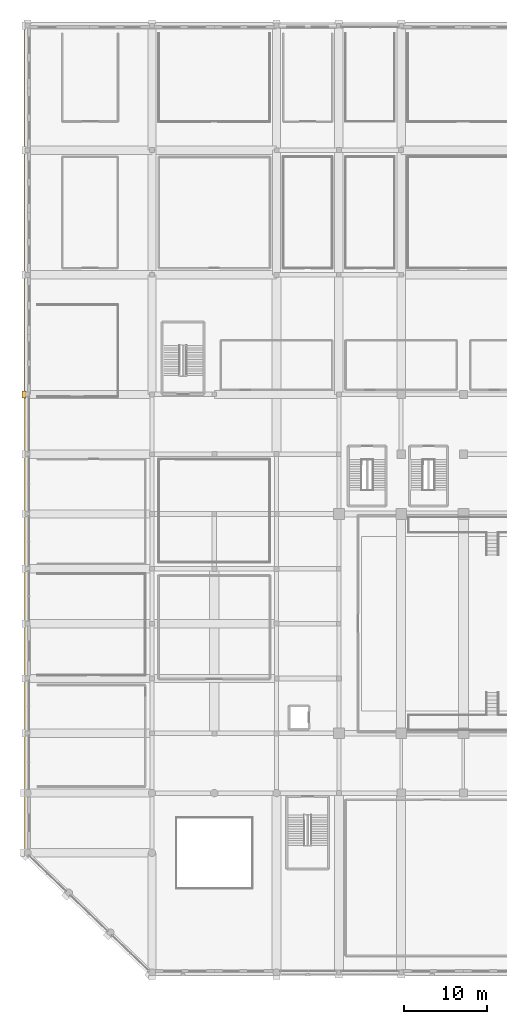
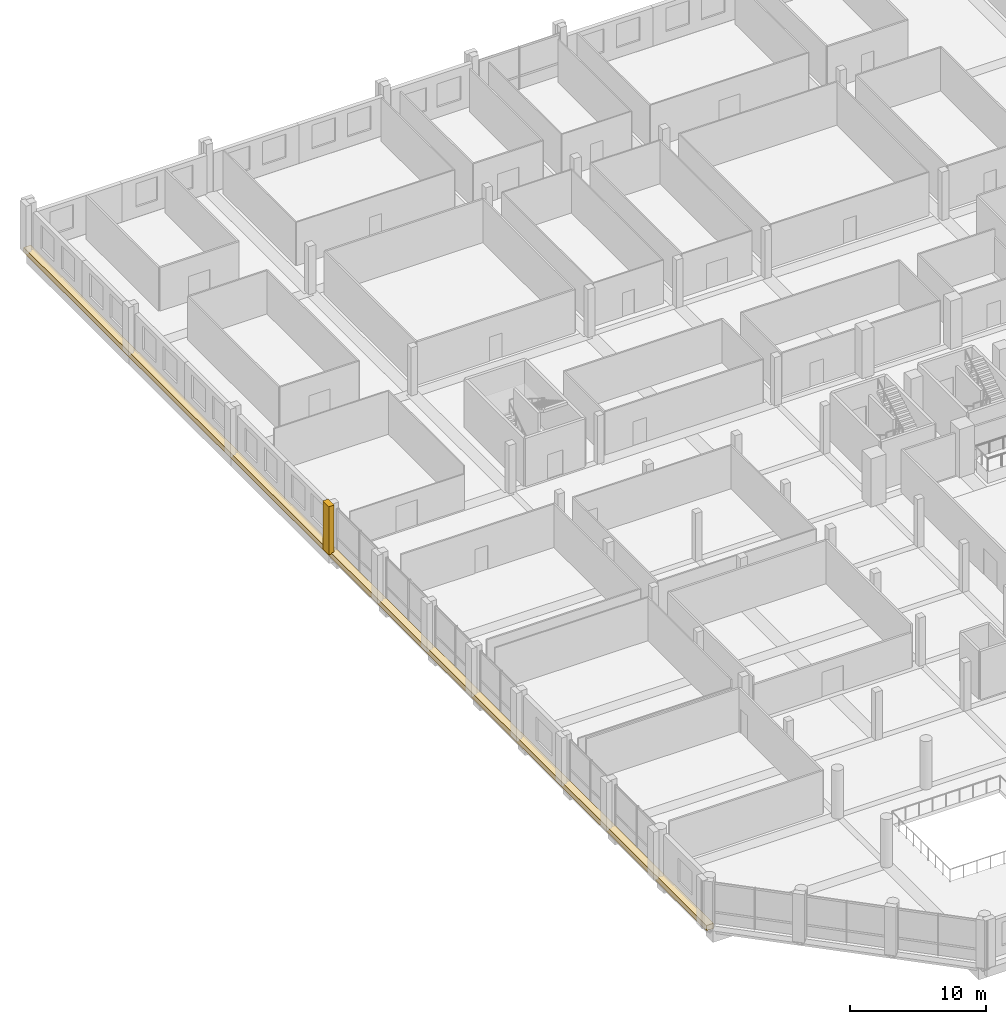
# One storey, part 63 of 68: 2 coverings.
"""IFC4 building model written with IfcOpenShell, lengths in metres."""

import ifcopenshell
import ifcopenshell.guid

model = None  # the IFC model being written
_history = None  # IfcOwnerHistory: only IFC2X3 demands one
_inside = {}  # id of a spatial element -> (the spatial element, [elements in it])
_under = {}  # id of a project, library or spatial element -> (it, [spatial elements below it])
_declared = {}  # id of a project -> (the project, [libraries it declares])
_typed = {}  # id of a type object -> (the type object, [elements of that type])
_made_of = {}  # id of a material, layer set ... -> (it, [elements and type objects made of it])


def new_model(schema):
    """Start an empty IFC model of exactly this schema.

    Asked for "IFC4X3", IfcOpenShell would pick the latest addendum, in which some entities
    have other attributes; the version numbers below select the first issue.
    IFC2X3 requires an IfcOwnerHistory on every rooted entity: one is made here for all.
    """
    global model, _history
    if schema == "IFC4X3":
        model = ifcopenshell.file(schema_version=(4, 3, 0, 0))
    else:
        model = ifcopenshell.file(schema=schema)
    _inside.clear()
    _under.clear()
    _declared.clear()
    _typed.clear()
    _made_of.clear()
    _history = None
    if model.schema == "IFC2X3":
        org = make("IfcOrganization", Name="unknown")
        user = make(
            "IfcPersonAndOrganization",
            ThePerson=make("IfcPerson", FamilyName="unknown"),
            TheOrganization=org,
        )
        app = make(
            "IfcApplication",
            ApplicationDeveloper=org,
            Version="unknown",
            ApplicationFullName="unknown",
            ApplicationIdentifier="unknown",
        )
        _history = make(
            "IfcOwnerHistory",
            OwningUser=user,
            OwningApplication=app,
            ChangeAction="ADDED",
            CreationDate=0,
        )
    return model


def make(cls, **values):
    """One entity of the class cls with the attributes given. An attribute that is None is left unset."""
    return model.create_entity(
        cls, **{name: value for name, value in values.items() if value is not None}
    )


def rooted(cls, **values):
    """An entity with a GlobalId (a new one), such as an element, a storey or a relation."""
    return make(cls, GlobalId=ifcopenshell.guid.new(), OwnerHistory=_history, **values)


def si_unit(unit_type, name, prefix=None):
    """IfcSIUnit, for example si_unit("LENGTHUNIT", "METRE", prefix="MILLI")."""
    return make("IfcSIUnit", UnitType=unit_type, Prefix=prefix, Name=name)


def assignment(units):
    """IfcUnitAssignment: the units of a project."""
    return None if units is None else make("IfcUnitAssignment", Units=units)


def point(xyz):
    """IfcCartesianPoint."""
    return None if xyz is None else make("IfcCartesianPoint", Coordinates=xyz)


def direction(xyz):
    """IfcDirection."""
    return None if xyz is None else make("IfcDirection", DirectionRatios=xyz)


def frame(location, z_axis=None, x_axis=None):
    """IfcAxis2Placement3D, a coordinate frame: its origin and axes. An axis left out is left unset."""
    return make(
        "IfcAxis2Placement3D",
        Location=point(location),
        Axis=direction(z_axis),
        RefDirection=direction(x_axis),
    )


def frame_2d(location, x_axis=None):
    """IfcAxis2Placement2D, a coordinate frame in the plane: its origin and x axis."""
    return make(
        "IfcAxis2Placement2D", Location=point(location), RefDirection=direction(x_axis)
    )


def origin():
    """The frame at (0, 0, 0) with its axes left unset."""
    return frame((0.0, 0.0, 0.0))


def origin_2d():
    """The frame at (0, 0) in the plane with its x axis left unset."""
    return frame_2d((0.0, 0.0))


def place(relative_to, where):
    """IfcLocalPlacement: puts the frame where relative to a parent placement (None: the world)."""
    return make(
        "IfcLocalPlacement", PlacementRelTo=relative_to, RelativePlacement=where
    )


def context(
    kind, dimensions, precision=None, world=None, true_north=None, identifier=None
):
    """IfcGeometricRepresentationContext, for example the 3D "Model" context."""
    return make(
        "IfcGeometricRepresentationContext",
        ContextIdentifier=identifier,
        ContextType=kind,
        CoordinateSpaceDimension=dimensions,
        Precision=precision,
        WorldCoordinateSystem=world,
        TrueNorth=true_north,
    )


def subcontext(parent, identifier, kind, view, scale=None):
    """IfcGeometricRepresentationSubContext, for example "Body" below "Model"."""
    return make(
        "IfcGeometricRepresentationSubContext",
        ContextIdentifier=identifier,
        ContextType=kind,
        ParentContext=parent,
        TargetScale=scale,
        TargetView=view,
    )


def project(units=None, contexts=None):
    """IfcProject with its units and contexts."""
    return rooted(
        "IfcProject",
        Name="project",
        RepresentationContexts=contexts,
        UnitsInContext=assignment(units),
    )


def spatial(cls, under=None, at=None, **own):
    """A site, building, storey or space (cls), placed at a placement, below another one or the project."""
    s = rooted(cls, ObjectPlacement=at, **own)
    if under is not None:
        _under.setdefault(under.id(), (under, []))[1].append(s)
    return s


def profile(cls, at=None, kind="AREA", **sizes):
    """A parametric profile (cls). Its sizes go by their IFC names, for example OverallWidth=200.0."""
    return make(cls, ProfileType=kind, Position=at, **sizes)


def rectangle(**sizes):
    """IfcRectangleProfileDef."""
    return profile("IfcRectangleProfileDef", **sizes)


def extrude(swept, where, along, depth):
    """IfcExtrudedAreaSolid: the profile swept, set in the frame where, extruded along a direction by depth."""
    return make(
        "IfcExtrudedAreaSolid",
        SweptArea=swept,
        Position=where,
        ExtrudedDirection=direction(along),
        Depth=depth,
    )


def shape(context_of_items, identifier, shape_type, items):
    """IfcShapeRepresentation: the items that make up one representation, for example the "Body"."""
    return make(
        "IfcShapeRepresentation",
        ContextOfItems=context_of_items,
        RepresentationIdentifier=identifier,
        RepresentationType=shape_type,
        Items=items,
    )


def material(Name=None, Category=None):
    """IfcMaterial."""
    return make("IfcMaterial", Name=Name, Category=Category)


def layer(
    of_material, thickness, ventilated=None, Name=None, Category=None, Priority=None
):
    """IfcMaterialLayer: one layer of a wall or slab, of a material (None: an air gap)."""
    return make(
        "IfcMaterialLayer",
        Material=of_material,
        LayerThickness=thickness,
        IsVentilated=ventilated,
        Name=Name,
        Category=Category,
        Priority=Priority,
    )


def layer_set(layers, Name=None):
    """IfcMaterialLayerSet."""
    return make("IfcMaterialLayerSet", MaterialLayers=layers, LayerSetName=Name)


def made_of(thing, what):
    """Note that an element or type object is made of a material, layer set ...; save() writes the relation."""
    if what is not None:
        _made_of.setdefault(what.id(), (what, []))[1].append(thing)
    return thing


def type_object(cls, material=None, **own):
    """A type object (cls), such as IfcWallType, which elements share."""
    return made_of(rooted(cls, **own), material)


def element(
    cls,
    number,
    at=None,
    inside=None,
    cuts=None,
    type_object=None,
    material=None,
    context=None,
    identifier="Body",
    shape_type=None,
    held_by="IfcProductDefinitionShape",
    body=None,
    shapes=None,
    **own,
):
    """One element of the class cls, such as IfcWall. Its Tag is "e" and its number.

    at: its placement. inside: the storey or other place that contains it. cuts: it is an
    opening in that element (IfcRelVoidsElement). A single representation is given by context,
    identifier, shape_type and body (its items); several are given by shapes. held_by: the class
    of the entity that holds the representations. save() writes the other relations.
    """
    e = rooted(cls, Tag="e%d" % number, ObjectPlacement=at, **own)
    if body is not None:
        shapes = [shape(context, identifier, shape_type, body)]
    if shapes is not None:
        e.Representation = make(held_by, Representations=shapes)
    if inside is not None:
        _inside.setdefault(inside.id(), (inside, []))[1].append(e)
    if cuts is not None:
        rooted(
            "IfcRelVoidsElement", RelatingBuildingElement=cuts, RelatedOpeningElement=e
        )
    if type_object is not None:
        _typed.setdefault(type_object.id(), (type_object, []))[1].append(e)
    return made_of(e, material)


def aggregate(whole, parts):
    """IfcRelAggregates: a whole, such as a stair, and the parts it consists of."""
    return rooted("IfcRelAggregates", RelatingObject=whole, RelatedObjects=parts)


def save(model, path):
    """Write the relations noted so far, then the file.

    IfcRelAggregates (storeys below a building ...), IfcRelContainedInSpatialStructure (elements
    in a storey), IfcRelDefinesByType, IfcRelAssociatesMaterial and IfcRelDeclares: one each for
    every whole, place, type object, material and project.
    """
    for whole, parts in _under.values():
        aggregate(whole, parts)
    for where, things in _inside.values():
        rooted(
            "IfcRelContainedInSpatialStructure",
            RelatedElements=things,
            RelatingStructure=where,
        )
    for kind, things in _typed.values():
        rooted("IfcRelDefinesByType", RelatedObjects=things, RelatingType=kind)
    for what, things in _made_of.values():
        rooted("IfcRelAssociatesMaterial", RelatedObjects=things, RelatingMaterial=what)
    for by, libraries in _declared.values():
        rooted("IfcRelDeclares", RelatingContext=by, RelatedDefinitions=libraries)
    model.write(path)


model = new_model("IFC4")

# Units and contexts
model_context = context("Model", 3, precision=1e-05, world=origin(), true_north=direction((0.0, 1.0)))
body_context = subcontext(model_context, "Body", "Model", "MODEL_VIEW")
ifc_project = project(units=[si_unit("LENGTHUNIT", "METRE"), si_unit("AREAUNIT", "SQUARE_METRE"), si_unit("VOLUMEUNIT", "CUBIC_METRE"), si_unit("PLANEANGLEUNIT", "RADIAN"), si_unit("MASSUNIT", "GRAM", prefix="KILO")], contexts=[model_context])

# Site, building, storey
site_placement = place(None, origin())
site = spatial("IfcSite", under=ifc_project, at=site_placement, CompositionType="ELEMENT")
building_placement = place(site_placement, origin())
building = spatial("IfcBuilding", under=site, at=building_placement, Name="Akrevak Sports Hall", CompositionType="ELEMENT")
storey_placement = place(building_placement, frame((0.0, 0.0, 9.39990234375)))
storey = spatial("IfcBuildingStorey", under=building, at=storey_placement, Name="L02", CompositionType="ELEMENT", Elevation=9.39990234375)

# Coverings
ifc_material = material(Name="Limestone Ashlar", Category="stone")
ifc_layer_1 = layer(ifc_material, 0.6201171875, Name="Limestone Ashlar")
ifc_layer_set_1 = layer_set([ifc_layer_1], Name="Limestone Ashlar")
covering_type_1 = type_object("IfcCoveringType", Name="ARC-COV-CRN-LIM", PredefinedType="MOLDING", material=ifc_layer_set_1)
covering_1_placement = place(storey_placement, frame((-0.139892578125, 64.199951171875, -0.349853515625), z_axis=(0.0, 0.0, 1.0), x_axis=(0.0, -1.0, 0.0)))
element("IfcCovering", 1, at=covering_1_placement, inside=storey, type_object=covering_type_1, Name="Tripartite Base Limestone Belt Course L02-BLT-04", PredefinedType="MOLDING", context=body_context, shape_type="SweptSolid", body=[
    extrude(rectangle(XDim=100.216064453125, YDim=0.60009765625, at=origin_2d()), origin(), (0.0, 0.0, 1.0), 0.4599609375),
])
ifc_layer_2 = layer(ifc_material, 0.47998046875, Name="Limestone Ashlar")
ifc_layer_set_2 = layer_set([ifc_layer_2], Name="Limestone Ashlar")
covering_type_2 = type_object("IfcCoveringType", Name="ARC-COV-PIL-LIM", PredefinedType="CLADDING", material=ifc_layer_set_2)
covering_2_placement = place(storey_placement, frame((-0.425048828125, 69.60009765625, 0.0), z_axis=(0.0, 0.0, 1.0), x_axis=(0.0, -1.0, 0.0)))
element("IfcCovering", 2, at=covering_2_placement, inside=storey, type_object=covering_type_2, Name="Giant-Order Limestone Pilaster L02-04-47", PredefinedType="CLADDING", context=body_context, shape_type="SweptSolid", body=[
    extrude(rectangle(XDim=0.8798828125, YDim=0.4599609375, at=origin_2d()), origin(), (0.0, 0.0, 1.0), 4.320068359375),
])

save(model, "model.ifc")
